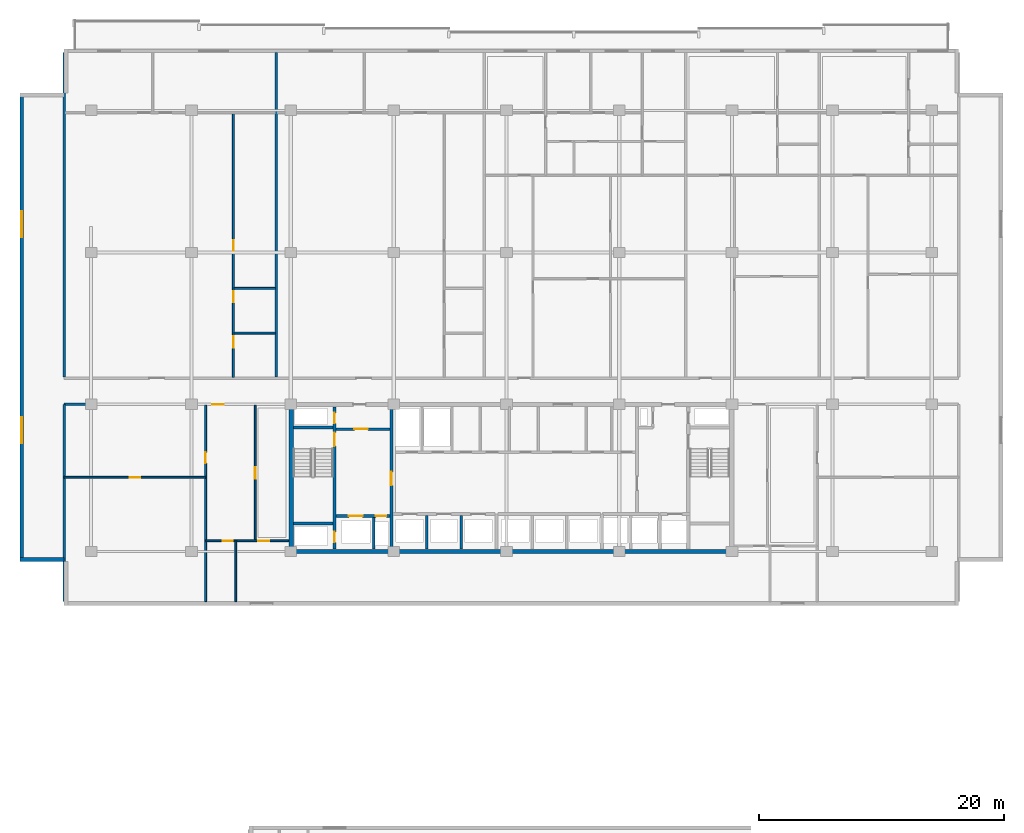
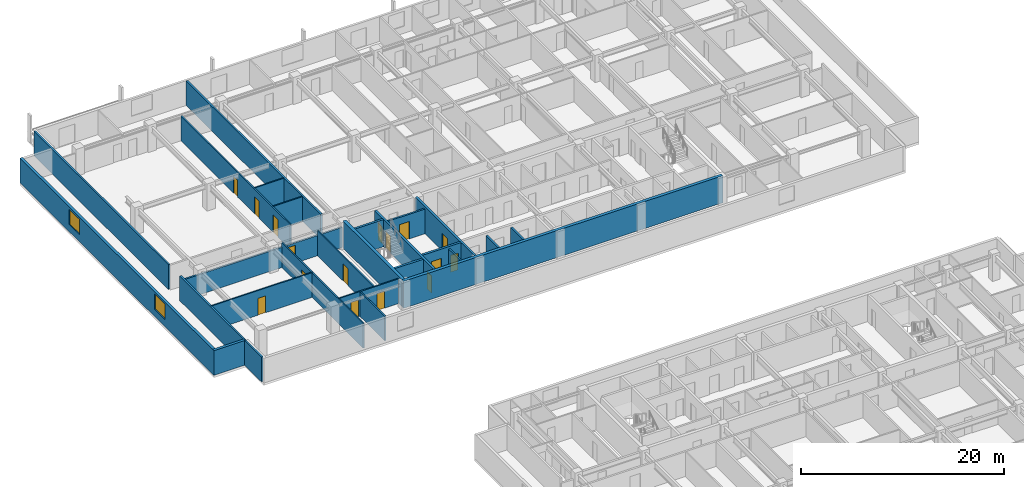
# One storey, part 11 of 22: 25 walls, 16 doors, 2 windows, 18 openings.
"""IFC4 building model written with IfcOpenShell, lengths in metres."""

import ifcopenshell
import ifcopenshell.guid

model = None  # the IFC model being written
_history = None  # IfcOwnerHistory: only IFC2X3 demands one
_inside = {}  # id of a spatial element -> (the spatial element, [elements in it])
_under = {}  # id of a project, library or spatial element -> (it, [spatial elements below it])
_declared = {}  # id of a project -> (the project, [libraries it declares])
_typed = {}  # id of a type object -> (the type object, [elements of that type])
_made_of = {}  # id of a material, layer set ... -> (it, [elements and type objects made of it])


def new_model(schema):
    """Start an empty IFC model of exactly this schema.

    Asked for "IFC4X3", IfcOpenShell would pick the latest addendum, in which some entities
    have other attributes; the version numbers below select the first issue.
    IFC2X3 requires an IfcOwnerHistory on every rooted entity: one is made here for all.
    """
    global model, _history
    if schema == "IFC4X3":
        model = ifcopenshell.file(schema_version=(4, 3, 0, 0))
    else:
        model = ifcopenshell.file(schema=schema)
    _inside.clear()
    _under.clear()
    _declared.clear()
    _typed.clear()
    _made_of.clear()
    _history = None
    if model.schema == "IFC2X3":
        org = make("IfcOrganization", Name="unknown")
        user = make(
            "IfcPersonAndOrganization",
            ThePerson=make("IfcPerson", FamilyName="unknown"),
            TheOrganization=org,
        )
        app = make(
            "IfcApplication",
            ApplicationDeveloper=org,
            Version="unknown",
            ApplicationFullName="unknown",
            ApplicationIdentifier="unknown",
        )
        _history = make(
            "IfcOwnerHistory",
            OwningUser=user,
            OwningApplication=app,
            ChangeAction="ADDED",
            CreationDate=0,
        )
    return model


def make(cls, **values):
    """One entity of the class cls with the attributes given. An attribute that is None is left unset."""
    return model.create_entity(
        cls, **{name: value for name, value in values.items() if value is not None}
    )


def rooted(cls, **values):
    """An entity with a GlobalId (a new one), such as an element, a storey or a relation."""
    return make(cls, GlobalId=ifcopenshell.guid.new(), OwnerHistory=_history, **values)


def si_unit(unit_type, name, prefix=None):
    """IfcSIUnit, for example si_unit("LENGTHUNIT", "METRE", prefix="MILLI")."""
    return make("IfcSIUnit", UnitType=unit_type, Prefix=prefix, Name=name)


def assignment(units):
    """IfcUnitAssignment: the units of a project."""
    return None if units is None else make("IfcUnitAssignment", Units=units)


def point(xyz):
    """IfcCartesianPoint."""
    return None if xyz is None else make("IfcCartesianPoint", Coordinates=xyz)


def direction(xyz):
    """IfcDirection."""
    return None if xyz is None else make("IfcDirection", DirectionRatios=xyz)


def frame(location, z_axis=None, x_axis=None):
    """IfcAxis2Placement3D, a coordinate frame: its origin and axes. An axis left out is left unset."""
    return make(
        "IfcAxis2Placement3D",
        Location=point(location),
        Axis=direction(z_axis),
        RefDirection=direction(x_axis),
    )


def frame_2d(location, x_axis=None):
    """IfcAxis2Placement2D, a coordinate frame in the plane: its origin and x axis."""
    return make(
        "IfcAxis2Placement2D", Location=point(location), RefDirection=direction(x_axis)
    )


def origin():
    """The frame at (0, 0, 0) with its axes left unset."""
    return frame((0.0, 0.0, 0.0))


def place(relative_to, where):
    """IfcLocalPlacement: puts the frame where relative to a parent placement (None: the world)."""
    return make(
        "IfcLocalPlacement", PlacementRelTo=relative_to, RelativePlacement=where
    )


def context(
    kind, dimensions, precision=None, world=None, true_north=None, identifier=None
):
    """IfcGeometricRepresentationContext, for example the 3D "Model" context."""
    return make(
        "IfcGeometricRepresentationContext",
        ContextIdentifier=identifier,
        ContextType=kind,
        CoordinateSpaceDimension=dimensions,
        Precision=precision,
        WorldCoordinateSystem=world,
        TrueNorth=true_north,
    )


def subcontext(parent, identifier, kind, view, scale=None):
    """IfcGeometricRepresentationSubContext, for example "Body" below "Model"."""
    return make(
        "IfcGeometricRepresentationSubContext",
        ContextIdentifier=identifier,
        ContextType=kind,
        ParentContext=parent,
        TargetScale=scale,
        TargetView=view,
    )


def project(units=None, contexts=None):
    """IfcProject with its units and contexts."""
    return rooted(
        "IfcProject",
        Name="project",
        RepresentationContexts=contexts,
        UnitsInContext=assignment(units),
    )


def spatial(cls, under=None, at=None, **own):
    """A site, building, storey or space (cls), placed at a placement, below another one or the project."""
    s = rooted(cls, ObjectPlacement=at, **own)
    if under is not None:
        _under.setdefault(under.id(), (under, []))[1].append(s)
    return s


def profile(cls, at=None, kind="AREA", **sizes):
    """A parametric profile (cls). Its sizes go by their IFC names, for example OverallWidth=200.0."""
    return make(cls, ProfileType=kind, Position=at, **sizes)


def rectangle(**sizes):
    """IfcRectangleProfileDef."""
    return profile("IfcRectangleProfileDef", **sizes)


def extrude(swept, where, along, depth):
    """IfcExtrudedAreaSolid: the profile swept, set in the frame where, extruded along a direction by depth."""
    return make(
        "IfcExtrudedAreaSolid",
        SweptArea=swept,
        Position=where,
        ExtrudedDirection=direction(along),
        Depth=depth,
    )


def shape(context_of_items, identifier, shape_type, items):
    """IfcShapeRepresentation: the items that make up one representation, for example the "Body"."""
    return make(
        "IfcShapeRepresentation",
        ContextOfItems=context_of_items,
        RepresentationIdentifier=identifier,
        RepresentationType=shape_type,
        Items=items,
    )


def material(Name=None, Category=None):
    """IfcMaterial."""
    return make("IfcMaterial", Name=Name, Category=Category)


def layer(
    of_material, thickness, ventilated=None, Name=None, Category=None, Priority=None
):
    """IfcMaterialLayer: one layer of a wall or slab, of a material (None: an air gap)."""
    return make(
        "IfcMaterialLayer",
        Material=of_material,
        LayerThickness=thickness,
        IsVentilated=ventilated,
        Name=Name,
        Category=Category,
        Priority=Priority,
    )


def layer_set(layers, Name=None):
    """IfcMaterialLayerSet."""
    return make("IfcMaterialLayerSet", MaterialLayers=layers, LayerSetName=Name)


def made_of(thing, what):
    """Note that an element or type object is made of a material, layer set ...; save() writes the relation."""
    if what is not None:
        _made_of.setdefault(what.id(), (what, []))[1].append(thing)
    return thing


def type_object(cls, material=None, **own):
    """A type object (cls), such as IfcWallType, which elements share."""
    return made_of(rooted(cls, **own), material)


def element(
    cls,
    number,
    at=None,
    inside=None,
    cuts=None,
    type_object=None,
    material=None,
    context=None,
    identifier="Body",
    shape_type=None,
    held_by="IfcProductDefinitionShape",
    body=None,
    shapes=None,
    **own,
):
    """One element of the class cls, such as IfcWall. Its Tag is "e" and its number.

    at: its placement. inside: the storey or other place that contains it. cuts: it is an
    opening in that element (IfcRelVoidsElement). A single representation is given by context,
    identifier, shape_type and body (its items); several are given by shapes. held_by: the class
    of the entity that holds the representations. save() writes the other relations.
    """
    e = rooted(cls, Tag="e%d" % number, ObjectPlacement=at, **own)
    if body is not None:
        shapes = [shape(context, identifier, shape_type, body)]
    if shapes is not None:
        e.Representation = make(held_by, Representations=shapes)
    if inside is not None:
        _inside.setdefault(inside.id(), (inside, []))[1].append(e)
    if cuts is not None:
        rooted(
            "IfcRelVoidsElement", RelatingBuildingElement=cuts, RelatedOpeningElement=e
        )
    if type_object is not None:
        _typed.setdefault(type_object.id(), (type_object, []))[1].append(e)
    return made_of(e, material)


def fill(opening, filler):
    """IfcRelFillsElement: the door or window that sits in an opening."""
    return rooted(
        "IfcRelFillsElement",
        RelatingOpeningElement=opening,
        RelatedBuildingElement=filler,
    )


def aggregate(whole, parts):
    """IfcRelAggregates: a whole, such as a stair, and the parts it consists of."""
    return rooted("IfcRelAggregates", RelatingObject=whole, RelatedObjects=parts)


def save(model, path):
    """Write the relations noted so far, then the file.

    IfcRelAggregates (storeys below a building ...), IfcRelContainedInSpatialStructure (elements
    in a storey), IfcRelDefinesByType, IfcRelAssociatesMaterial and IfcRelDeclares: one each for
    every whole, place, type object, material and project.
    """
    for whole, parts in _under.values():
        aggregate(whole, parts)
    for where, things in _inside.values():
        rooted(
            "IfcRelContainedInSpatialStructure",
            RelatedElements=things,
            RelatingStructure=where,
        )
    for kind, things in _typed.values():
        rooted("IfcRelDefinesByType", RelatedObjects=things, RelatingType=kind)
    for what, things in _made_of.values():
        rooted("IfcRelAssociatesMaterial", RelatedObjects=things, RelatingMaterial=what)
    for by, libraries in _declared.values():
        rooted("IfcRelDeclares", RelatingContext=by, RelatedDefinitions=libraries)
    model.write(path)


model = new_model("IFC4")

# Units and contexts
model_context = context("Model", 3, precision=1e-05, world=origin(), true_north=direction((0.0, 1.0)))
body_context = subcontext(model_context, "Body", "Model", "MODEL_VIEW")
ifc_project = project(units=[si_unit("LENGTHUNIT", "METRE"), si_unit("AREAUNIT", "SQUARE_METRE"), si_unit("VOLUMEUNIT", "CUBIC_METRE"), si_unit("PLANEANGLEUNIT", "RADIAN"), si_unit("MASSUNIT", "GRAM", prefix="KILO")], contexts=[model_context])

# Site, building, storey
site_placement = place(None, origin())
site = spatial("IfcSite", under=ifc_project, at=site_placement, CompositionType="ELEMENT")
building_placement = place(site_placement, origin())
building = spatial("IfcBuilding", under=site, at=building_placement, Name="Korimba Cascade Residences", CompositionType="ELEMENT")
storey_placement = place(building_placement, frame((0.0, 0.0, 90.550048828125)))
storey = spatial("IfcBuildingStorey", under=building, at=storey_placement, Name="L25", CompositionType="ELEMENT", Elevation=90.550048828125)

# Wall, openings, windows
ifc_material_1 = material(Name="Precast concrete C40/50", Category="concrete")
ifc_layer_1 = layer(ifc_material_1, 0.300048828125)
ifc_layer_set_1 = layer_set([ifc_layer_1], Name="Precast concrete C40/50")
wall_type_1 = type_object("IfcWallType", Name="EW-STONE-300", PredefinedType="STANDARD", material=ifc_layer_set_1)
wall_1_placement = place(storey_placement, frame((54.14990234375, 92.60009765625, 0.0), z_axis=(0.0, 0.0, 1.0), x_axis=(0.0, -1.0, 0.0)))
wall_1 = element("IfcWall", 1, at=wall_1_placement, inside=storey, type_object=wall_type_1, Name="L25 T1 Perimeter Stone Wall E09", PredefinedType="STANDARD", context=body_context, shape_type="SweptSolid", body=[
    extrude(rectangle(XDim=38.2001953125, YDim=0.300048828125, at=frame_2d((19.10009765625, 0.0))), origin(), (0.0, 0.0, 1.0), 2.969970703125),
])
opening_1_placement = place(wall_1_placement, frame((9.64599609375, 0.0, 0.85009765625)))
opening_1 = element("IfcOpeningElement", 2, at=opening_1_placement, cuts=wall_1, Name="Opening W-03", PredefinedType="OPENING", context=body_context, shape_type="SweptSolid", body=[
    extrude(rectangle(XDim=2.10009765625, YDim=1.85009765625, at=frame_2d((1.050048828125, 0.925048828125))), frame((0.0, 0.16015625, 0.0), z_axis=(0.0, -1.0, 0.0), x_axis=(1.0, 0.0, 0.0)), (0.0, 0.0, 1.0), 0.320068359375),
])
opening_2_placement = place(wall_1_placement, frame((26.4541015625, 0.0, 0.85009765625)))
opening_2 = element("IfcOpeningElement", 3, at=opening_2_placement, cuts=wall_1, Name="Opening W-03", PredefinedType="OPENING", context=body_context, shape_type="SweptSolid", body=[
    extrude(rectangle(XDim=2.10009765625, YDim=1.85009765625, at=frame_2d((1.050048828125, 0.925048828125))), frame((0.0, 0.16015625, 0.0), z_axis=(0.0, -1.0, 0.0), x_axis=(1.0, 0.0, 0.0)), (0.0, 0.0, 1.0), 0.320068359375),
])
ifc_material_2 = material(Name="Double-Glazed Aluminium Window", Category="aluminium")
window_type = type_object("IfcWindowType", Name="WIN-CRN-2100", PartitioningType="DOUBLE_PANEL_HORIZONTAL", PredefinedType="WINDOW", material=ifc_material_2)
window_1_placement = place(opening_1_placement, origin())
window_1 = element("IfcWindow", 4, at=window_1_placement, inside=storey, type_object=window_type, Name="L25 T1 End View Window 9.1", OverallHeight=1.85009765625, OverallWidth=2.10009765625, PartitioningType="DOUBLE_PANEL_HORIZONTAL", PredefinedType="WINDOW", context=body_context, shape_type="SweptSolid", body=[
    extrude(rectangle(XDim=2.10009765625, YDim=1.85009765625, at=frame_2d((1.050048828125, 0.925048828125))), frame((0.0, 0.030029296875, 0.0), z_axis=(0.0, -1.0, 0.0), x_axis=(1.0, 0.0, 0.0)), (0.0, 0.0, 1.0), 0.06005859375),
])
fill(opening_1, window_1)
window_2_placement = place(opening_2_placement, origin())
window_2 = element("IfcWindow", 5, at=window_2_placement, inside=storey, type_object=window_type, Name="L25 T1 End View Window 9.2", OverallHeight=1.85009765625, OverallWidth=2.10009765625, PartitioningType="DOUBLE_PANEL_HORIZONTAL", PredefinedType="WINDOW", context=body_context, shape_type="SweptSolid", body=[
    extrude(rectangle(XDim=2.10009765625, YDim=1.85009765625, at=frame_2d((1.050048828125, 0.925048828125))), frame((0.0, 0.030029296875, 0.0), z_axis=(0.0, -1.0, 0.0), x_axis=(1.0, 0.0, 0.0)), (0.0, 0.0, 1.0), 0.06005859375),
])
fill(opening_2, window_2)

# Walls
wall_2_placement = place(storey_placement, frame((54.0, 54.550048828125, 0.0), z_axis=(0.0, 0.0, 1.0), x_axis=(1.0, 0.0, 0.0)))
element("IfcWall", 6, at=wall_2_placement, inside=storey, type_object=wall_type_1, Name="L25 T1 Perimeter Stone Wall E10", PredefinedType="STANDARD", context=body_context, shape_type="SweptSolid", body=[
    extrude(rectangle(XDim=3.60009765625, YDim=0.300048828125, at=frame_2d((1.800048828125, 0.0))), origin(), (0.0, 0.0, 1.0), 2.969970703125),
])
ifc_material_3 = material(Name="Concrete C65/80", Category="concrete")
ifc_layer_2 = layer(ifc_material_3, 0.35009765625)
ifc_layer_set_2 = layer_set([ifc_layer_2], Name="Concrete C65/80")
wall_type_2 = type_object("IfcWallType", Name="WAL-CORE-350", PredefinedType="SHEAR", material=ifc_layer_set_2)
wall_3_placement = place(storey_placement, frame((75.949951171875, 55.199951171875, 0.0), z_axis=(0.0, 0.0, 1.0), x_axis=(1.0, 0.0, 0.0)))
element("IfcWall", 7, at=wall_3_placement, inside=storey, type_object=wall_type_2, Name="L25 Core Shear Wall CW-L25-T1-S", PredefinedType="SHEAR", context=body_context, shape_type="SweptSolid", body=[
    extrude(rectangle(XDim=36.300048828125, YDim=0.35009765625, at=frame_2d((18.14990234375, 0.0))), origin(), (0.0, 0.0, 1.0), 3.25),
])
wall_4_placement = place(storey_placement, frame((76.125, 55.375, 0.0), z_axis=(0.0, 0.0, 1.0), x_axis=(0.0, 1.0, 0.0)))
element("IfcWall", 8, at=wall_4_placement, inside=storey, type_object=wall_type_2, Name="L25 Core Shear Wall CW-L25-T1-W", PredefinedType="SHEAR", context=body_context, shape_type="SweptSolid", body=[
    extrude(rectangle(XDim=11.64990234375, YDim=0.35009765625, at=frame_2d((5.824951171875, 0.0))), origin(), (0.0, 0.0, 1.0), 3.25),
])
ifc_layer_3 = layer(ifc_material_1, 0.199951171875)
ifc_layer_set_3 = layer_set([ifc_layer_3], Name="Precast concrete C40/50")
wall_type_3 = type_object("IfcWallType", Name="WAL-IT-200", PredefinedType="PARTITIONING", material=ifc_layer_set_3)
wall_5_placement = place(storey_placement, frame((57.60009765625, 51.10009765625, 0.0), z_axis=(0.0, 0.0, 1.0), x_axis=(0.0, 1.0, 0.0)))
element("IfcWall", 9, at=wall_5_placement, inside=storey, type_object=wall_type_3, Name="L25 Partition Wall WAL-L25-T1-FW-WL", PredefinedType="PARTITIONING", context=body_context, shape_type="SweptSolid", body=[
    extrude(rectangle(XDim=16.099853515625, YDim=0.199951171875, at=frame_2d((8.0498046875, 0.0))), origin(), (0.0, 0.0, 1.0), 2.969970703125),
])

# Wall, opening, door
wall_6_placement = place(storey_placement, frame((57.60009765625, 67.199951171875, 0.0), z_axis=(0.0, 0.0, 1.0), x_axis=(1.0, 0.0, 0.0)))
wall_6 = element("IfcWall", 10, at=wall_6_placement, inside=storey, type_object=wall_type_3, Name="L25 Partition Wall WAL-L25-T1-FW-N", PredefinedType="PARTITIONING", context=body_context, shape_type="SweptSolid", body=[
    extrude(rectangle(XDim=18.349853515625, YDim=0.199951171875, at=frame_2d((9.1748046875, 0.0))), origin(), (0.0, 0.0, 1.0), 2.433349609375),
])
opening_3_placement = place(wall_6_placement, frame((12.07470703125, 0.0, 0.0)))
opening_3 = element("IfcOpeningElement", 11, at=opening_3_placement, cuts=wall_6, Name="Opening D-UN1", PredefinedType="OPENING", context=body_context, shape_type="SweptSolid", body=[
    extrude(rectangle(XDim=0.949951171875, YDim=2.14990234375, at=frame_2d((0.47509765625, 1.074951171875))), frame((0.0, 0.10986328125, 0.0), z_axis=(0.0, -1.0, 0.0), x_axis=(1.0, 0.0, 0.0)), (0.0, 0.0, 1.0), 0.219970703125),
])
ifc_material_4 = material(Name="Fire-Rated Hardwood Apartment Entrance Door", Category="wood")
door_type_1 = type_object("IfcDoorType", Name="DR-FD60-950", OperationType="NOTDEFINED", PredefinedType="DOOR", material=ifc_material_4)
door_1_placement = place(opening_3_placement, origin())
door_1 = element("IfcDoor", 12, at=door_1_placement, inside=storey, type_object=door_type_1, Name="L25-T1-FW Entrance Door", OperationType="SINGLE_SWING_RIGHT", OverallHeight=2.14990234375, OverallWidth=0.949951171875, PredefinedType="DOOR", context=body_context, shape_type="SweptSolid", body=[
    extrude(rectangle(XDim=0.949951171875, YDim=2.14990234375, at=frame_2d((0.47509765625, 1.074951171875))), frame((0.0, 0.02490234375, 0.0), z_axis=(0.0, -1.0, 0.0), x_axis=(1.0, 0.0, 0.0)), (0.0, 0.0, 1.0), 0.050048828125),
])
fill(opening_3, door_1)

# Walls
for number, where, z_axis, x_axis, name in (
    (13, (57.60009765625, 69.429931640625, 0.0), (0.0, 0.0, 1.0), (0.0, 1.0, 0.0), "L25 Partition Wall WAL-L25-T1-BNDWL"),
    (14, (74.911865234375, 69.429931640625, 0.0), (0.0, 0.0, 1.0), (0.0, 1.0, 0.0), "L25 Partition Wall WAL-L25-T1-DEM-1"),
):
    element("IfcWall", number, at=place(storey_placement, frame(where, z_axis=z_axis, x_axis=x_axis)), inside=storey, type_object=wall_type_3, Name=name, PredefinedType="PARTITIONING", context=body_context, shape_type="SweptSolid", body=[
        extrude(rectangle(XDim=26.469970703125, YDim=0.199951171875, at=frame_2d((13.23486328125, 0.0))), origin(), (0.0, 0.0, 1.0), 2.969970703125),
    ])

# Wall, opening, door
ifc_material_5 = material(Name="Insulated Acoustic Stud Partition", Category="gypsum")
ifc_layer_4 = layer(ifc_material_5, 0.14990234375)
ifc_layer_set_4 = layer_set([ifc_layer_4], Name="Insulated Acoustic Stud Partition")
wall_type_4 = type_object("IfcWallType", Name="WAL-PART-150", PredefinedType="PARTITIONING", material=ifc_layer_set_4)
wall_7_placement = place(storey_placement, frame((57.60009765625, 61.25, 0.0), z_axis=(0.0, 0.0, 1.0), x_axis=(1.0, 0.0, 0.0)))
wall_7 = element("IfcWall", 15, at=wall_7_placement, inside=storey, type_object=wall_type_4, Name="L25 Partition Wall WAL-L25-T1-FW-STH", PredefinedType="PARTITIONING", context=body_context, shape_type="SweptSolid", body=[
    extrude(rectangle(XDim=11.5498046875, YDim=0.14990234375, at=frame_2d((5.77490234375, 0.0))), origin(), (0.0, 0.0, 1.0), 2.969970703125),
])
opening_4_placement = place(wall_7_placement, frame((5.35498046875, 0.0, 0.0)))
opening_4 = element("IfcOpeningElement", 16, at=opening_4_placement, cuts=wall_7, Name="Opening D-BT1", PredefinedType="OPENING", context=body_context, shape_type="SweptSolid", body=[
    extrude(rectangle(XDim=0.840087890625, YDim=2.0400390625, at=frame_2d((0.419921875, 1.02001953125))), frame((0.0, 0.0849609375, 0.0), z_axis=(0.0, -1.0, 0.0), x_axis=(1.0, 0.0, 0.0)), (0.0, 0.0, 1.0), 0.169921875),
])
ifc_material_6 = material(Name="Moisture-Resistant Bathroom Timber Door", Category="wood")
door_type_2 = type_object("IfcDoorType", Name="DR-INT-850", OperationType="NOTDEFINED", PredefinedType="DOOR", material=ifc_material_6)
door_2_placement = place(opening_4_placement, origin())
door_2 = element("IfcDoor", 17, at=door_2_placement, inside=storey, type_object=door_type_2, Name="L25-T1-FW Dressing Store Door", OperationType="SINGLE_SWING_LEFT", OverallHeight=2.0400390625, OverallWidth=0.840087890625, PredefinedType="DOOR", context=body_context, shape_type="SweptSolid", body=[
    extrude(rectangle(XDim=0.840087890625, YDim=2.0400390625, at=frame_2d((0.419921875, 1.02001953125))), frame((0.0, 0.02490234375, 0.0), z_axis=(0.0, -1.0, 0.0), x_axis=(1.0, 0.0, 0.0)), (0.0, 0.0, 1.0), 0.050048828125),
])
fill(opening_4, door_2)

wall_8_placement = place(storey_placement, frame((69.14990234375, 51.10009765625, 0.0), z_axis=(0.0, 0.0, 1.0), x_axis=(0.0, 1.0, 0.0)))
wall_8 = element("IfcWall", 18, at=wall_8_placement, inside=storey, type_object=wall_type_4, Name="L25 Partition Wall WAL-L25-T1-FW-STV", PredefinedType="PARTITIONING", context=body_context, shape_type="SweptSolid", body=[
    extrude(rectangle(XDim=16.0498046875, YDim=0.14990234375, at=frame_2d((8.02490234375, 0.0))), origin(), (0.0, 0.0, 1.0), 2.969970703125),
])
opening_5_placement = place(wall_8_placement, frame((11.300048828125, 0.0, 0.0)))
opening_5 = element("IfcOpeningElement", 19, at=opening_5_placement, cuts=wall_8, Name="Opening D-IN2", PredefinedType="OPENING", context=body_context, shape_type="SweptSolid", body=[
    extrude(rectangle(XDim=0.8798828125, YDim=2.06005859375, at=frame_2d((0.43994140625, 1.030029296875))), frame((0.0, 0.0849609375, 0.0), z_axis=(0.0, -1.0, 0.0), x_axis=(1.0, 0.0, 0.0)), (0.0, 0.0, 1.0), 0.169921875),
])
ifc_material_7 = material(Name="Acoustic Timber Bedroom Door", Category="wood")
door_type_3 = type_object("IfcDoorType", Name="DR-INT-880", OperationType="NOTDEFINED", PredefinedType="DOOR", material=ifc_material_7)
door_3_placement = place(opening_5_placement, origin())
door_3 = element("IfcDoor", 20, at=door_3_placement, inside=storey, type_object=door_type_3, Name="L25-T1-FW Study Door", OperationType="SINGLE_SWING_RIGHT", OverallHeight=2.06005859375, OverallWidth=0.8798828125, PredefinedType="DOOR", context=body_context, shape_type="SweptSolid", body=[
    extrude(rectangle(XDim=0.8798828125, YDim=2.06005859375, at=frame_2d((0.43994140625, 1.030029296875))), frame((0.0, 0.02490234375, 0.0), z_axis=(0.0, -1.0, 0.0), x_axis=(1.0, 0.0, 0.0)), (0.0, 0.0, 1.0), 0.050048828125),
])
fill(opening_5, door_3)

wall_9_placement = place(storey_placement, frame((73.199951171875, 56.070068359375, 0.0), z_axis=(0.0, 0.0, 1.0), x_axis=(0.0, 1.0, 0.0)))
wall_9 = element("IfcWall", 21, at=wall_9_placement, inside=storey, type_object=wall_type_4, Name="L25 Partition Wall WAL-L25-T1-FW-VN", PredefinedType="PARTITIONING", context=body_context, shape_type="SweptSolid", body=[
    extrude(rectangle(XDim=11.079833984375, YDim=0.14990234375, at=frame_2d((5.5400390625, 0.0))), origin(), (0.0, 0.0, 1.0), 2.969970703125),
])
opening_6_placement = place(wall_9_placement, frame((5.080078125, 0.0, 0.0)))
opening_6 = element("IfcOpeningElement", 22, at=opening_6_placement, cuts=wall_9, Name="Opening D-IN1", PredefinedType="OPENING", context=body_context, shape_type="SweptSolid", body=[
    extrude(rectangle(XDim=0.919921875, YDim=2.080078125, at=frame_2d((0.4599609375, 1.0400390625))), frame((0.0, 0.0849609375, 0.0), z_axis=(0.0, -1.0, 0.0), x_axis=(1.0, 0.0, 0.0)), (0.0, 0.0, 1.0), 0.169921875),
])
ifc_material_8 = material(Name="Acoustic Timber Living Door", Category="wood")
door_type_4 = type_object("IfcDoorType", Name="DR-INT-920", OperationType="NOTDEFINED", PredefinedType="DOOR", material=ifc_material_8)
door_4_placement = place(opening_6_placement, origin())
door_4 = element("IfcDoor", 23, at=door_4_placement, inside=storey, type_object=door_type_4, Name="L25-T1-FW Living Door", OperationType="SINGLE_SWING_LEFT", OverallHeight=2.080078125, OverallWidth=0.919921875, PredefinedType="DOOR", context=body_context, shape_type="SweptSolid", body=[
    extrude(rectangle(XDim=0.919921875, YDim=2.080078125, at=frame_2d((0.4599609375, 1.0400390625))), frame((0.0, 0.02490234375, 0.0), z_axis=(0.0, -1.0, 0.0), x_axis=(1.0, 0.0, 0.0)), (0.0, 0.0, 1.0), 0.050048828125),
])
fill(opening_6, door_4)

# Wall
wall_10_placement = place(storey_placement, frame((71.60009765625, 51.10009765625, 0.0), z_axis=(0.0, 0.0, 1.0), x_axis=(0.0, 1.0, 0.0)))
element("IfcWall", 24, at=wall_10_placement, inside=storey, type_object=wall_type_4, Name="L25 Partition Wall WAL-L25-T1-FW-VS", PredefinedType="PARTITIONING", context=body_context, shape_type="SweptSolid", body=[
    extrude(rectangle(XDim=4.969970703125, YDim=0.14990234375, at=frame_2d((2.48486328125, 0.0))), origin(), (0.0, 0.0, 1.0), 2.969970703125),
])

# Wall, openings, doors
wall_11_placement = place(storey_placement, frame((69.169921875, 56.070068359375, 0.0), z_axis=(0.0, 0.0, 1.0), x_axis=(1.0, 0.0, 0.0)))
wall_11 = element("IfcWall", 25, at=wall_11_placement, inside=storey, type_object=wall_type_4, Name="L25 Partition Wall WAL-L25-T1-FW-H", PredefinedType="PARTITIONING", context=body_context, shape_type="SweptSolid", body=[
    extrude(rectangle(XDim=6.760009765625, YDim=0.14990234375, at=frame_2d((3.3798828125, 0.0))), origin(), (0.0, 0.0, 1.0), 2.969970703125),
])
opening_7_placement = place(wall_11_placement, frame((1.3623046875, 0.0, 0.0)))
opening_7 = element("IfcOpeningElement", 26, at=opening_7_placement, cuts=wall_11, Name="Opening D-BT1", PredefinedType="OPENING", context=body_context, shape_type="SweptSolid", body=[
    extrude(rectangle(XDim=0.840087890625, YDim=2.0400390625, at=frame_2d((0.419921875, 1.02001953125))), frame((0.0, 0.0849609375, 0.0), z_axis=(0.0, -1.0, 0.0), x_axis=(1.0, 0.0, 0.0)), (0.0, 0.0, 1.0), 0.169921875),
])
opening_8_placement = place(wall_11_placement, frame((4.276611328125, 0.0, 0.0)))
opening_8 = element("IfcOpeningElement", 27, at=opening_8_placement, cuts=wall_11, Name="Opening D-IN2", PredefinedType="OPENING", context=body_context, shape_type="SweptSolid", body=[
    extrude(rectangle(XDim=0.8798828125, YDim=2.06005859375, at=frame_2d((0.43994140625, 1.030029296875))), frame((0.0, 0.0849609375, 0.0), z_axis=(0.0, -1.0, 0.0), x_axis=(1.0, 0.0, 0.0)), (0.0, 0.0, 1.0), 0.169921875),
])
door_5_placement = place(opening_7_placement, origin())
door_5 = element("IfcDoor", 28, at=door_5_placement, inside=storey, type_object=door_type_2, Name="L25-T1-FW Bathroom Door", OperationType="SINGLE_SWING_RIGHT", OverallHeight=2.0400390625, OverallWidth=0.840087890625, PredefinedType="DOOR", context=body_context, shape_type="SweptSolid", body=[
    extrude(rectangle(XDim=0.840087890625, YDim=2.0400390625, at=frame_2d((0.419921875, 1.02001953125))), frame((0.0, 0.02490234375, 0.0), z_axis=(0.0, -1.0, 0.0), x_axis=(1.0, 0.0, 0.0)), (0.0, 0.0, 1.0), 0.050048828125),
])
fill(opening_7, door_5)
door_6_placement = place(opening_8_placement, origin())
door_6 = element("IfcDoor", 29, at=door_6_placement, inside=storey, type_object=door_type_3, Name="L25-T1-FW Bedroom Door", OperationType="SINGLE_SWING_LEFT", OverallHeight=2.06005859375, OverallWidth=0.8798828125, PredefinedType="DOOR", context=body_context, shape_type="SweptSolid", body=[
    extrude(rectangle(XDim=0.8798828125, YDim=2.06005859375, at=frame_2d((0.43994140625, 1.030029296875))), frame((0.0, 0.02490234375, 0.0), z_axis=(0.0, -1.0, 0.0), x_axis=(1.0, 0.0, 0.0)), (0.0, 0.0, 1.0), 0.050048828125),
])
fill(opening_8, door_6)

# Walls
for number, where, z_axis, x_axis, name in (
    (30, (71.471923828125, 73.02001953125, 0.0), (0.0, 0.0, 1.0), (1.0, 0.0, 0.0), "L25 Partition Wall WAL-L25-T1-U01-WCH"),
    (31, (71.471923828125, 76.669921875, 0.0), (0.0, 0.0, 1.0), (1.0, 0.0, 0.0), "L25 Partition Wall WAL-L25-T1-U01-WCH2"),
):
    element("IfcWall", number, at=place(storey_placement, frame(where, z_axis=z_axis, x_axis=x_axis)), inside=storey, type_object=wall_type_4, Name=name, PredefinedType="PARTITIONING", context=body_context, shape_type="SweptSolid", body=[
        extrude(rectangle(XDim=3.35986328125, YDim=0.14990234375, at=frame_2d((1.679931640625, 0.0))), origin(), (0.0, 0.0, 1.0), 2.969970703125),
    ])

# Wall, openings, doors
wall_12_placement = place(storey_placement, frame((71.411865234375, 69.409912109375, 0.0), z_axis=(0.0, 0.0, 1.0), x_axis=(0.0, 1.0, 0.0)))
wall_12 = element("IfcWall", 32, at=wall_12_placement, inside=storey, type_object=wall_type_4, Name="L25 Partition Wall WAL-L25-T1-U01-WCV", PredefinedType="PARTITIONING", context=body_context, shape_type="SweptSolid", body=[
    extrude(rectangle(XDim=21.530029296875, YDim=0.14990234375, at=frame_2d((10.76513671875, 0.0))), origin(), (0.0, 0.0, 1.0), 2.969970703125),
])
opening_9_placement = place(wall_12_placement, frame((2.406005859375, 0.0, 0.0)))
opening_9 = element("IfcOpeningElement", 33, at=opening_9_placement, cuts=wall_12, Name="Opening D-AC1", PredefinedType="OPENING", context=body_context, shape_type="SweptSolid", body=[
    extrude(rectangle(XDim=0.9599609375, YDim=2.10009765625, at=frame_2d((0.47998046875, 1.050048828125))), frame((0.0, 0.0849609375, 0.0), z_axis=(0.0, -1.0, 0.0), x_axis=(1.0, 0.0, 0.0)), (0.0, 0.0, 1.0), 0.169921875),
])
opening_10_placement = place(wall_12_placement, frame((6.132568359375, 0.0, 0.0)))
opening_10 = element("IfcOpeningElement", 34, at=opening_10_placement, cuts=wall_12, Name="Opening D-IN2", PredefinedType="OPENING", context=body_context, shape_type="SweptSolid", body=[
    extrude(rectangle(XDim=0.8798828125, YDim=2.06005859375, at=frame_2d((0.43994140625, 1.030029296875))), frame((0.0, 0.0849609375, 0.0), z_axis=(0.0, -1.0, 0.0), x_axis=(1.0, 0.0, 0.0)), (0.0, 0.0, 1.0), 0.169921875),
])
opening_11_placement = place(wall_12_placement, frame((10.344970703125, 0.0, 0.0)))
opening_11 = element("IfcOpeningElement", 35, at=opening_11_placement, cuts=wall_12, Name="Opening D-BT1", PredefinedType="OPENING", context=body_context, shape_type="SweptSolid", body=[
    extrude(rectangle(XDim=0.840087890625, YDim=2.0400390625, at=frame_2d((0.419921875, 1.02001953125))), frame((0.0, 0.0849609375, 0.0), z_axis=(0.0, -1.0, 0.0), x_axis=(1.0, 0.0, 0.0)), (0.0, 0.0, 1.0), 0.169921875),
])
ifc_material_9 = material(Name="Accessible Acoustic Timber WC Door", Category="wood")
door_type_5 = type_object("IfcDoorType", Name="DR-ACC-950", OperationType="NOTDEFINED", PredefinedType="DOOR", material=ifc_material_9)
door_7_placement = place(opening_9_placement, origin())
door_7 = element("IfcDoor", 36, at=door_7_placement, inside=storey, type_object=door_type_5, Name="L25-T1-U01 Accessible WC Door", OperationType="SINGLE_SWING_LEFT", OverallHeight=2.10009765625, OverallWidth=0.9599609375, PredefinedType="DOOR", context=body_context, shape_type="SweptSolid", body=[
    extrude(rectangle(XDim=0.9599609375, YDim=2.10009765625, at=frame_2d((0.47998046875, 1.050048828125))), frame((0.0, 0.02490234375, 0.0), z_axis=(0.0, -1.0, 0.0), x_axis=(1.0, 0.0, 0.0)), (0.0, 0.0, 1.0), 0.050048828125),
])
fill(opening_9, door_7)
door_8_placement = place(opening_11_placement, origin())
door_8 = element("IfcDoor", 37, at=door_8_placement, inside=storey, type_object=door_type_2, Name="L25-T1-U01 Suite Store Door", OperationType="SINGLE_SWING_LEFT", OverallHeight=2.0400390625, OverallWidth=0.840087890625, PredefinedType="DOOR", context=body_context, shape_type="SweptSolid", body=[
    extrude(rectangle(XDim=0.840087890625, YDim=2.0400390625, at=frame_2d((0.419921875, 1.02001953125))), frame((0.0, 0.02490234375, 0.0), z_axis=(0.0, -1.0, 0.0), x_axis=(1.0, 0.0, 0.0)), (0.0, 0.0, 1.0), 0.050048828125),
])
fill(opening_11, door_8)
door_9_placement = place(opening_10_placement, origin())
door_9 = element("IfcDoor", 38, at=door_9_placement, inside=storey, type_object=door_type_3, Name="L25-T1-U01 Restroom WC Door", OperationType="SINGLE_SWING_RIGHT", OverallHeight=2.06005859375, OverallWidth=0.8798828125, PredefinedType="DOOR", context=body_context, shape_type="SweptSolid", body=[
    extrude(rectangle(XDim=0.8798828125, YDim=2.06005859375, at=frame_2d((0.43994140625, 1.030029296875))), frame((0.0, 0.02490234375, 0.0), z_axis=(0.0, -1.0, 0.0), x_axis=(1.0, 0.0, 0.0)), (0.0, 0.0, 1.0), 0.050048828125),
])
fill(opening_10, door_9)

# Wall
ifc_material_10 = material(Name="Concrete C40/50", Category="concrete")
ifc_layer_5 = layer(ifc_material_10, 0.199951171875)
ifc_layer_set_5 = layer_set([ifc_layer_5], Name="Concrete C40/50")
wall_type_5 = type_object("IfcWallType", Name="WAL-PART-200", PredefinedType="PARTITIONING", material=ifc_layer_set_5)
wall_13_placement = place(storey_placement, frame((82.85009765625, 55.39990234375, 0.0), z_axis=(0.0, 0.0, 1.0), x_axis=(0.0, 1.0, 0.0)))
element("IfcWall", 39, at=wall_13_placement, inside=storey, type_object=wall_type_5, Name="L25 Partition Wall CW-L25-T1-FFLDIV", PredefinedType="PARTITIONING", context=body_context, shape_type="SweptSolid", body=[
    extrude(rectangle(XDim=2.56005859375, YDim=0.199951171875, at=frame_2d((1.280029296875, 0.0))), origin(), (0.0, 0.0, 1.0), 2.969970703125),
])

# Wall, opening, door
wall_14_placement = place(storey_placement, frame((79.7900390625, 65.179931640625, 0.0), z_axis=(0.0, 0.0, 1.0), x_axis=(1.0, 0.0, 0.0)))
wall_14 = element("IfcWall", 40, at=wall_14_placement, inside=storey, type_object=wall_type_5, Name="L25 Partition Wall CW-L25-T1-FFLN", PredefinedType="PARTITIONING", context=body_context, shape_type="SweptSolid", body=[
    extrude(rectangle(XDim=4.389892578125, YDim=0.199951171875, at=frame_2d((2.19482421875, 0.0))), origin(), (0.0, 0.0, 1.0), 2.969970703125),
])
opening_12_placement = place(wall_14_placement, frame((1.5, 0.0, 0.0)))
opening_12 = element("IfcOpeningElement", 41, at=opening_12_placement, cuts=wall_14, Name="Opening D-FD1", PredefinedType="OPENING", context=body_context, shape_type="SweptSolid", body=[
    extrude(rectangle(XDim=1.10009765625, YDim=2.10009765625, at=frame_2d((0.550048828125, 1.050048828125))), frame((0.0, 0.10986328125, 0.0), z_axis=(0.0, -1.0, 0.0), x_axis=(1.0, 0.0, 0.0)), (0.0, 0.0, 1.0), 0.219970703125),
])
ifc_material_11 = material(Name="Fire-Rated Steel Core Door", Category="steel")
door_type_6 = type_object("IfcDoorType", Name="DR-FD120-1100", OperationType="NOTDEFINED", PredefinedType="DOOR", material=ifc_material_11)
door_10_placement = place(opening_12_placement, origin())
door_10 = element("IfcDoor", 42, at=door_10_placement, inside=storey, type_object=door_type_6, Name="L25 West Firefighting Lobby Door", OperationType="SINGLE_SWING_RIGHT", OverallHeight=2.10009765625, OverallWidth=1.10009765625, PredefinedType="DOOR", context=body_context, shape_type="SweptSolid", body=[
    extrude(rectangle(XDim=1.10009765625, YDim=2.10009765625, at=frame_2d((0.550048828125, 1.050048828125))), frame((0.0, 0.02490234375, 0.0), z_axis=(0.0, -1.0, 0.0), x_axis=(1.0, 0.0, 0.0)), (0.0, 0.0, 1.0), 0.050048828125),
])
fill(opening_12, door_10)

# Walls
for number, where, z_axis, x_axis, name in (
    (43, (87.199951171875, 55.39990234375, 0.0), (0.0, 0.0, 1.0), (0.0, 1.0, 0.0), "L25 Partition Wall CW-L25-T1-B1D1"),
    (44, (90.0, 55.39990234375, 0.0), (0.0, 0.0, 1.0), (0.0, 1.0, 0.0), "L25 Partition Wall CW-L25-T1-B1D2"),
):
    element("IfcWall", number, at=place(storey_placement, frame(where, z_axis=z_axis, x_axis=x_axis)), inside=storey, type_object=wall_type_5, Name=name, PredefinedType="PARTITIONING", context=body_context, shape_type="SweptSolid", body=[
        extrude(rectangle(XDim=2.72021484375, YDim=0.199951171875, at=frame_2d((1.360107421875, 0.0))), origin(), (0.0, 0.0, 1.0), 2.969970703125),
    ])

# Wall, openings, doors
ifc_material_12 = material(Name="Concrete C50/60", Category="concrete")
ifc_layer_6 = layer(ifc_material_12, 0.25)
ifc_layer_set_6 = layer_set([ifc_layer_6], Name="Concrete C50/60")
wall_type_6 = type_object("IfcWallType", Name="WAL-SHAFT-250", PredefinedType="SHEAR", material=ifc_layer_set_6)
wall_15_placement = place(storey_placement, frame((79.6650390625, 55.39990234375, 0.0), z_axis=(0.0, 0.0, 1.0), x_axis=(0.0, 1.0, 0.0)))
wall_15 = element("IfcWall", 45, at=wall_15_placement, inside=storey, type_object=wall_type_6, Name="L25 Core Shear Wall CW-L25-T1-STW1E", PredefinedType="SHEAR", context=body_context, shape_type="SweptSolid", body=[
    extrude(rectangle(XDim=11.60009765625, YDim=0.25, at=frame_2d((5.800048828125, 0.0))), origin(), (0.0, 0.0, 1.0), 3.25),
])
opening_13_placement = place(wall_15_placement, frame((0.550048828125, 0.0, 0.0)))
opening_13 = element("IfcOpeningElement", 46, at=opening_13_placement, cuts=wall_15, Name="Opening D-RS1", PredefinedType="OPENING", context=body_context, shape_type="SweptSolid", body=[
    extrude(rectangle(XDim=0.85009765625, YDim=2.050048828125, at=frame_2d((0.425048828125, 1.02490234375))), frame((0.0, 0.135009765625, 0.0), z_axis=(0.0, -1.0, 0.0), x_axis=(1.0, 0.0, 0.0)), (0.0, 0.0, 1.0), 0.27001953125),
])
opening_14_placement = place(wall_15_placement, frame((8.39990234375, 0.0, 0.0)))
opening_14 = element("IfcOpeningElement", 47, at=opening_14_placement, cuts=wall_15, Name="Opening D-FD1", PredefinedType="OPENING", context=body_context, shape_type="SweptSolid", body=[
    extrude(rectangle(XDim=1.10009765625, YDim=2.10009765625, at=frame_2d((0.550048828125, 1.050048828125))), frame((0.0, 0.135009765625, 0.0), z_axis=(0.0, -1.0, 0.0), x_axis=(1.0, 0.0, 0.0)), (0.0, 0.0, 1.0), 0.27001953125),
])
opening_15_placement = place(wall_15_placement, frame((10.25, 0.0, 0.0)))
opening_15 = element("IfcOpeningElement", 48, at=opening_15_placement, cuts=wall_15, Name="Opening D-RS1", PredefinedType="OPENING", context=body_context, shape_type="SweptSolid", body=[
    extrude(rectangle(XDim=0.85009765625, YDim=2.050048828125, at=frame_2d((0.425048828125, 1.02490234375))), frame((0.0, 0.135009765625, 0.0), z_axis=(0.0, -1.0, 0.0), x_axis=(1.0, 0.0, 0.0)), (0.0, 0.0, 1.0), 0.27001953125),
])
door_11_placement = place(opening_14_placement, origin())
door_11 = element("IfcDoor", 49, at=door_11_placement, inside=storey, type_object=door_type_6, Name="L25 Fire Stair ST-W1 Door", OperationType="SINGLE_SWING_LEFT", OverallHeight=2.10009765625, OverallWidth=1.10009765625, PredefinedType="DOOR", context=body_context, shape_type="SweptSolid", body=[
    extrude(rectangle(XDim=1.10009765625, YDim=2.10009765625, at=frame_2d((0.550048828125, 1.050048828125))), frame((0.0, 0.02490234375, 0.0), z_axis=(0.0, -1.0, 0.0), x_axis=(1.0, 0.0, 0.0)), (0.0, 0.0, 1.0), 0.050048828125),
])
fill(opening_14, door_11)
ifc_material_13 = material(Name="Fire-Rated Steel Riser Access Door", Category="steel")
door_type_7 = type_object("IfcDoorType", Name="DR-FD60-850", OperationType="NOTDEFINED", PredefinedType="DOOR", material=ifc_material_13)
door_12_placement = place(opening_13_placement, origin())
door_12 = element("IfcDoor", 50, at=door_12_placement, inside=storey, type_object=door_type_7, Name="L25 Smoke Riser Access Door", OperationType="SINGLE_SWING_RIGHT", OverallHeight=2.050048828125, OverallWidth=0.85009765625, PredefinedType="DOOR", context=body_context, shape_type="SweptSolid", body=[
    extrude(rectangle(XDim=0.85009765625, YDim=2.050048828125, at=frame_2d((0.425048828125, 1.02490234375))), frame((0.0, 0.02490234375, 0.0), z_axis=(0.0, -1.0, 0.0), x_axis=(1.0, 0.0, 0.0)), (0.0, 0.0, 1.0), 0.050048828125),
])
fill(opening_13, door_12)
door_13_placement = place(opening_15_placement, origin())
door_13 = element("IfcDoor", 51, at=door_13_placement, inside=storey, type_object=door_type_7, Name="L25 Hydrant Riser Access Door", OperationType="SINGLE_SWING_RIGHT", OverallHeight=2.050048828125, OverallWidth=0.85009765625, PredefinedType="DOOR", context=body_context, shape_type="SweptSolid", body=[
    extrude(rectangle(XDim=0.85009765625, YDim=2.050048828125, at=frame_2d((0.425048828125, 1.02490234375))), frame((0.0, 0.02490234375, 0.0), z_axis=(0.0, -1.0, 0.0), x_axis=(1.0, 0.0, 0.0)), (0.0, 0.0, 1.0), 0.050048828125),
])
fill(opening_15, door_13)

# Walls
for number, where, z_axis, x_axis, name in (
    (52, (76.300048828125, 57.47509765625, 0.0), (0.0, 0.0, 1.0), (1.0, 0.0, 0.0), "L25 Core Shear Wall CW-L25-T1-STW1S"),
    (53, (76.300048828125, 65.324951171875, 0.0), (0.0, 0.0, 1.0), (1.0, 0.0, 0.0), "L25 Core Shear Wall CW-L25-T1-STW1N"),
):
    element("IfcWall", number, at=place(storey_placement, frame(where, z_axis=z_axis, x_axis=x_axis)), inside=storey, type_object=wall_type_6, Name=name, PredefinedType="SHEAR", context=body_context, shape_type="SweptSolid", body=[
        extrude(rectangle(XDim=3.239990234375, YDim=0.25, at=frame_2d((1.6201171875, 0.0))), origin(), (0.0, 0.0, 1.0), 3.25),
    ])

# Wall, openings, doors
wall_16_placement = place(storey_placement, frame((79.7900390625, 58.10009765625, 0.0), z_axis=(0.0, 0.0, 1.0), x_axis=(1.0, 0.0, 0.0)))
wall_16 = element("IfcWall", 54, at=wall_16_placement, inside=storey, type_object=wall_type_6, Name="L25 Core Shear Wall CW-L25-T1-FFLS", PredefinedType="SHEAR", context=body_context, shape_type="SweptSolid", body=[
    extrude(rectangle(XDim=4.389892578125, YDim=0.25, at=frame_2d((2.19482421875, 0.0))), origin(), (0.0, 0.0, 1.0), 3.25),
])
opening_16_placement = place(wall_16_placement, frame((1.050048828125, 0.0, 0.0)))
opening_16 = element("IfcOpeningElement", 55, at=opening_16_placement, cuts=wall_16, Name="Opening LD-01", PredefinedType="OPENING", context=body_context, shape_type="SweptSolid", body=[
    extrude(rectangle(XDim=1.1201171875, YDim=2.1201171875, at=frame_2d((0.56005859375, 1.06005859375))), frame((0.0, 0.135009765625, 0.0), z_axis=(0.0, -1.0, 0.0), x_axis=(1.0, 0.0, 0.0)), (0.0, 0.0, 1.0), 0.27001953125),
])
opening_17_placement = place(wall_16_placement, frame((3.260009765625, 0.0, 0.0)))
opening_17 = element("IfcOpeningElement", 56, at=opening_17_placement, cuts=wall_16, Name="Opening D-RS1", PredefinedType="OPENING", context=body_context, shape_type="SweptSolid", body=[
    extrude(rectangle(XDim=0.85009765625, YDim=2.050048828125, at=frame_2d((0.425048828125, 1.02490234375))), frame((0.0, 0.135009765625, 0.0), z_axis=(0.0, -1.0, 0.0), x_axis=(1.0, 0.0, 0.0)), (0.0, 0.0, 1.0), 0.27001953125),
])
door_14_placement = place(opening_17_placement, origin())
door_14 = element("IfcDoor", 57, at=door_14_placement, inside=storey, type_object=door_type_7, Name="L25 Pressurisation Riser Door", OperationType="SINGLE_SWING_LEFT", OverallHeight=2.050048828125, OverallWidth=0.85009765625, PredefinedType="DOOR", context=body_context, shape_type="SweptSolid", body=[
    extrude(rectangle(XDim=0.85009765625, YDim=2.050048828125, at=frame_2d((0.425048828125, 1.02490234375))), frame((0.0, 0.02490234375, 0.0), z_axis=(0.0, -1.0, 0.0), x_axis=(1.0, 0.0, 0.0)), (0.0, 0.0, 1.0), 0.050048828125),
])
fill(opening_17, door_14)
ifc_material_14 = material(Name="Stainless Steel Lift Landing Sliding Door", Category="steel")
door_type_8 = type_object("IfcDoorType", Name="DR-LIFT-1100", OperationType="NOTDEFINED", PredefinedType="DOOR", material=ifc_material_14)
door_15_placement = place(opening_16_placement, origin())
door_15 = element("IfcDoor", 58, at=door_15_placement, inside=storey, type_object=door_type_8, Name="L25 Firefighting Lift Landing Door FFL-W1", OperationType="SLIDING_TO_LEFT", OverallHeight=2.1201171875, OverallWidth=1.1201171875, PredefinedType="DOOR", context=body_context, shape_type="SweptSolid", body=[
    extrude(rectangle(XDim=1.1201171875, YDim=2.1201171875, at=frame_2d((0.56005859375, 1.06005859375))), frame((0.0, 0.02490234375, 0.0), z_axis=(0.0, -1.0, 0.0), x_axis=(1.0, 0.0, 0.0)), (0.0, 0.0, 1.0), 0.050048828125),
])
fill(opening_16, door_15)

# Wall, opening, door
wall_17_placement = place(storey_placement, frame((84.300048828125, 55.39990234375, 0.0), z_axis=(0.0, 0.0, 1.0), x_axis=(0.0, 1.0, 0.0)))
wall_17 = element("IfcWall", 59, at=wall_17_placement, inside=storey, type_object=wall_type_6, Name="L25 Core Shear Wall CW-L25-T1-FFLE", PredefinedType="SHEAR", context=body_context, shape_type="SweptSolid", body=[
    extrude(rectangle(XDim=11.60009765625, YDim=0.25, at=frame_2d((5.800048828125, 0.0))), origin(), (0.0, 0.0, 1.0), 3.25),
])
opening_18_placement = place(wall_17_placement, frame((5.199951171875, 0.0, 0.0)))
opening_18 = element("IfcOpeningElement", 60, at=opening_18_placement, cuts=wall_17, Name="Opening D-FD1", PredefinedType="OPENING", context=body_context, shape_type="SweptSolid", body=[
    extrude(rectangle(XDim=1.10009765625, YDim=2.10009765625, at=frame_2d((0.550048828125, 1.050048828125))), frame((0.0, 0.135009765625, 0.0), z_axis=(0.0, -1.0, 0.0), x_axis=(1.0, 0.0, 0.0)), (0.0, 0.0, 1.0), 0.27001953125),
])
door_16_placement = place(opening_18_placement, origin())
door_16 = element("IfcDoor", 61, at=door_16_placement, inside=storey, type_object=door_type_6, Name="L25 Firefighting Lobby to Lift Lobby Door", OperationType="SINGLE_SWING_LEFT", OverallHeight=2.10009765625, OverallWidth=1.10009765625, PredefinedType="DOOR", context=body_context, shape_type="SweptSolid", body=[
    extrude(rectangle(XDim=1.10009765625, YDim=2.10009765625, at=frame_2d((0.550048828125, 1.050048828125))), frame((0.0, 0.02490234375, 0.0), z_axis=(0.0, -1.0, 0.0), x_axis=(1.0, 0.0, 0.0)), (0.0, 0.0, 1.0), 0.050048828125),
])
fill(opening_18, door_16)

save(model, "model.ifc")
